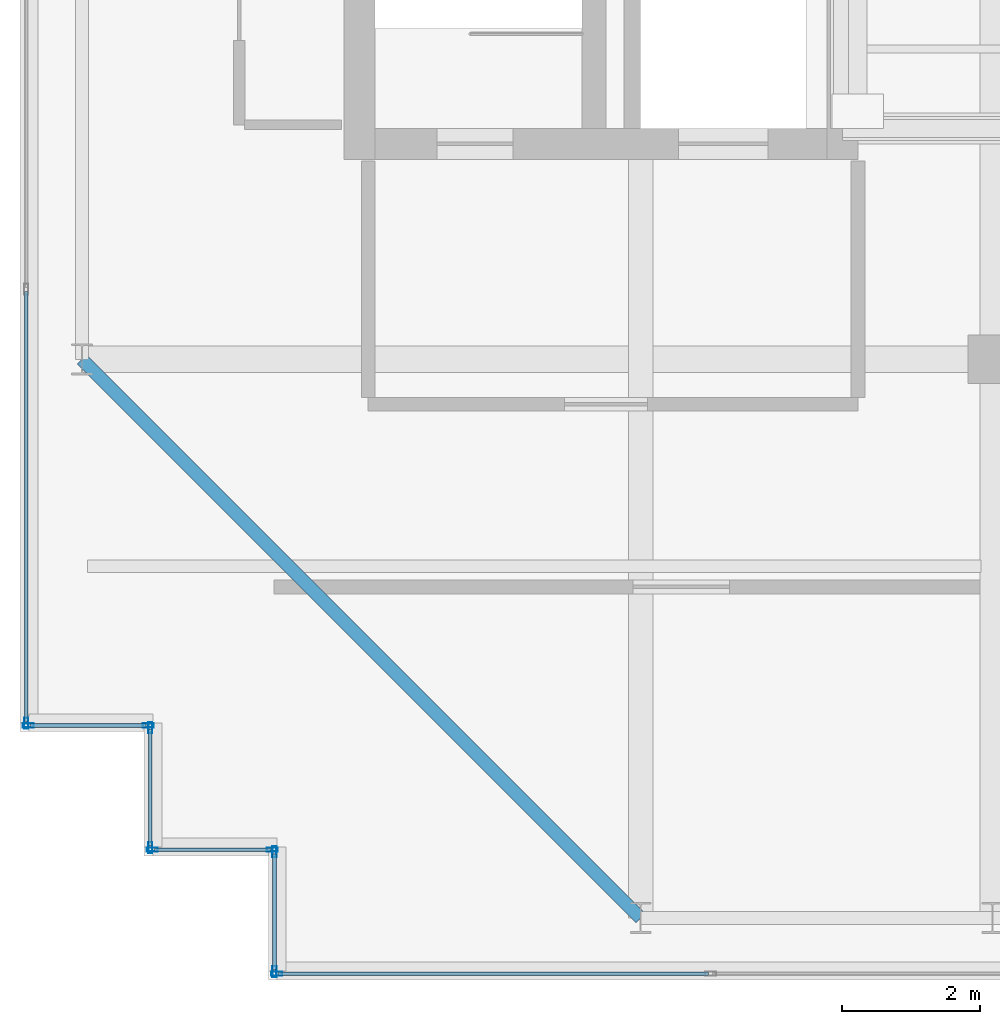
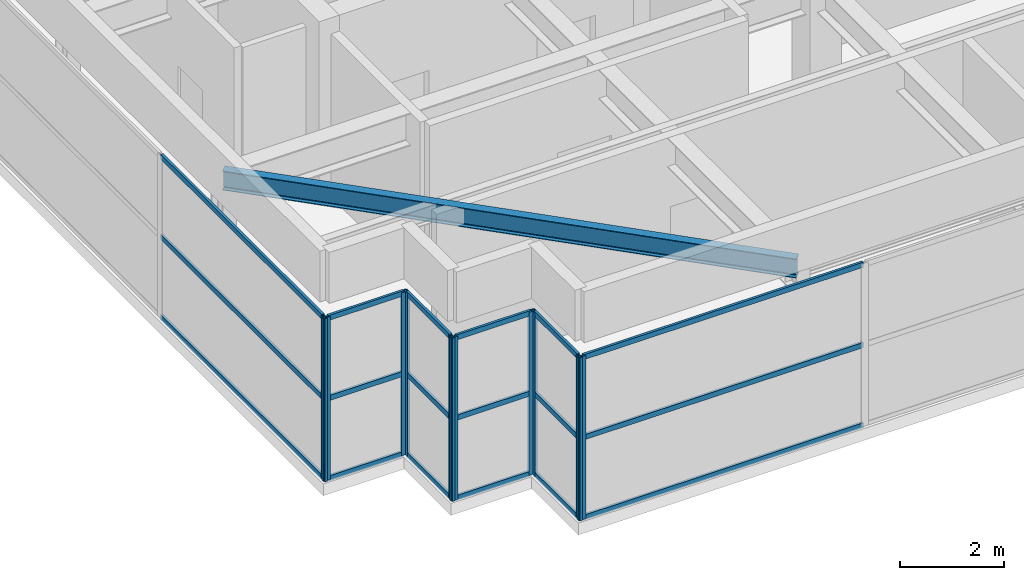
# One storey, part 2 of 33: 28 members, 1 beam, 6 elements without a shape of their own.
"""IFC4 building model written with IfcOpenShell, lengths in metres."""

from ifc_helpers import new_model, si_unit, direction, frame, origin, origin_2d, place, context, subcontext, project, spatial, hollow_rectangle, i_section, extrude, source, transform, mapped, material, layer, layer_set, material_profile, profile_set, type_object, element, aggregate, save


model = new_model("IFC4")

# Units and contexts
model_context = context("Model", 3, precision=1e-05, world=origin(), true_north=direction((0.0, 1.0)))
body_context = subcontext(model_context, "Body", "Model", "MODEL_VIEW")
ifc_project = project(units=[si_unit("LENGTHUNIT", "METRE"), si_unit("AREAUNIT", "SQUARE_METRE"), si_unit("VOLUMEUNIT", "CUBIC_METRE"), si_unit("PLANEANGLEUNIT", "RADIAN"), si_unit("MASSUNIT", "GRAM", prefix="KILO")], contexts=[model_context])

# Site, building, storey
site_placement = place(None, origin())
site = spatial("IfcSite", under=ifc_project, at=site_placement, CompositionType="ELEMENT")
building_placement = place(site_placement, origin())
building = spatial("IfcBuilding", under=site, at=building_placement, Name="Khoralis Quay Care Tower", CompositionType="ELEMENT")
storey_placement = place(building_placement, frame((0.0, 0.0, 314.699951171875)))
storey = spatial("IfcBuildingStorey", under=building, at=storey_placement, Name="L82", CompositionType="ELEMENT", Elevation=314.699951171875)

# Beam
ifc_material_1 = material(Name="Steel S355", Category="steel")
ifc_material_profile_1 = material_profile(ifc_material_1, i_section(OverallWidth=0.18994140625, OverallDepth=0.449951171875, WebThickness=0.009521484375, FlangeThickness=0.0146484375, FilletRadius=0.02099609375, at=origin_2d()), Name="Steel S355")
ifc_profile_set_1 = profile_set([ifc_material_profile_1], Name="Steel S355")
beam_type = type_object("IfcBeamType", Name="BM-IPE450", PredefinedType="SPANDREL", material=ifc_profile_set_1)
shared_shape_1 = source(origin(), body_context, "Body", "SweptSolid", [
    extrude(i_section(OverallWidth=0.18994140625, OverallDepth=0.449951171875, WebThickness=0.009521484375, FlangeThickness=0.0146484375, FilletRadius=0.02099609375, at=origin_2d()), origin(), (0.0, 0.0, 1.0), 11.455322265625),
])
beam_placement = place(storey_placement, frame((12.0, 3.89990234375, 3.614990234375), z_axis=(-0.707106781187, 0.707106781187, 0.0), x_axis=(-0.707106781187, -0.707106781187, 0.0)))
element("IfcBeam", 1, at=beam_placement, inside=storey, type_object=beam_type, Name="BM-TCR-L82-17", PredefinedType="SPANDREL", context=body_context, shape_type="MappedRepresentation", body=[
    mapped(shared_shape_1, transform((0.0, 0.0, 0.0), scale=1.0)),
])

# Curtain wall, members
ifc_material_2 = material(Name="Pale anodised aluminium", Category="aluminium")
ifc_layer = layer(ifc_material_2, 0.199951171875)
ifc_layer_set = layer_set([ifc_layer], Name="Pale anodised aluminium")
curtain_wall_type = type_object("IfcCurtainWallType", Name="CW-SYS-LANTERN", PredefinedType="NOTDEFINED", material=ifc_layer_set)
curtain_wall_1_placement = place(storey_placement, origin())
curtain_wall_1 = element("IfcCurtainWall", 2, at=curtain_wall_1_placement, inside=storey, type_object=curtain_wall_type, Name="L82 Unitised Curtain Wall CW-LN-L82-01", PredefinedType="NOTDEFINED")
ifc_material_profile_2 = material_profile(ifc_material_2, hollow_rectangle(XDim=0.054931640625, YDim=0.1201171875, WallThickness=0.00390625, at=origin_2d()), Name="Pale anodised aluminium")
ifc_profile_set_2 = profile_set([ifc_material_profile_2], Name="Pale anodised aluminium")
member_type_1 = type_object("IfcMemberType", Name="CW-TRN-120", PredefinedType="USERDEFINED", material=ifc_profile_set_2)
shared_shape_2 = source(origin(), body_context, "Body", "SweptSolid", [
    extrude(hollow_rectangle(XDim=0.054931640625, YDim=0.1201171875, WallThickness=0.00390625, at=origin_2d()), origin(), (0.0, 0.0, 1.0), 6.23388671875),
])
member_1_placement = place(storey_placement, frame((6.75, 3.090087890625, 0.030029296875), z_axis=(1.0, 0.0, 0.0), x_axis=(0.0, 1.0, 0.0)))
member_1 = element("IfcMember", 3, at=member_1_placement, type_object=member_type_1, Name="CW5 transom 1.1", ObjectType="TRANSOM", PredefinedType="USERDEFINED", context=body_context, shape_type="MappedRepresentation", body=[
    mapped(shared_shape_2, transform((0.0, 0.0, 0.0), scale=1.0)),
])
member_2_placement = place(storey_placement, frame((6.75, 3.090087890625, 1.920166015625), z_axis=(1.0, 0.0, 0.0), x_axis=(0.0, 1.0, 0.0)))
member_2 = element("IfcMember", 4, at=member_2_placement, type_object=member_type_1, Name="CW5 transom 1.2", ObjectType="TRANSOM", PredefinedType="USERDEFINED", context=body_context, shape_type="MappedRepresentation", body=[
    mapped(shared_shape_2, transform((0.0, 0.0, 0.0), scale=1.0)),
])
member_3_placement = place(storey_placement, frame((6.75, 3.090087890625, 3.81005859375), z_axis=(1.0, 0.0, 0.0), x_axis=(0.0, 1.0, 0.0)))
member_3 = element("IfcMember", 5, at=member_3_placement, type_object=member_type_1, Name="CW5 transom 1.3", ObjectType="TRANSOM", PredefinedType="USERDEFINED", context=body_context, shape_type="MappedRepresentation", body=[
    mapped(shared_shape_2, transform((0.0, 0.0, 0.0), scale=1.0)),
])

curtain_wall_2_placement = place(storey_placement, origin())
curtain_wall_2 = element("IfcCurtainWall", 6, at=curtain_wall_2_placement, inside=storey, type_object=curtain_wall_type, Name="L82 Unitised Curtain Wall CW-LN-L82-16", PredefinedType="NOTDEFINED")
member_4_placement = place(storey_placement, frame((3.090087890625, 12.98388671875, 0.030029296875), z_axis=(0.0, -1.0, 0.0), x_axis=(1.0, 0.0, 0.0)))
member_4 = element("IfcMember", 7, at=member_4_placement, type_object=member_type_1, Name="CW5 transom 5.1", ObjectType="TRANSOM", PredefinedType="USERDEFINED", context=body_context, shape_type="MappedRepresentation", body=[
    mapped(shared_shape_2, transform((0.0, 0.0, 0.0), scale=1.0)),
])
member_5_placement = place(storey_placement, frame((3.090087890625, 12.98388671875, 1.920166015625), z_axis=(0.0, -1.0, 0.0), x_axis=(1.0, 0.0, 0.0)))
member_5 = element("IfcMember", 8, at=member_5_placement, type_object=member_type_1, Name="CW5 transom 5.2", ObjectType="TRANSOM", PredefinedType="USERDEFINED", context=body_context, shape_type="MappedRepresentation", body=[
    mapped(shared_shape_2, transform((0.0, 0.0, 0.0), scale=1.0)),
])
member_6_placement = place(storey_placement, frame((3.090087890625, 12.98388671875, 3.81005859375), z_axis=(0.0, -1.0, 0.0), x_axis=(1.0, 0.0, 0.0)))
member_6 = element("IfcMember", 9, at=member_6_placement, type_object=member_type_1, Name="CW5 transom 5.3", ObjectType="TRANSOM", PredefinedType="USERDEFINED", context=body_context, shape_type="MappedRepresentation", body=[
    mapped(shared_shape_2, transform((0.0, 0.0, 0.0), scale=1.0)),
])

curtain_wall_3_placement = place(storey_placement, origin())
curtain_wall_3 = element("IfcCurtainWall", 10, at=curtain_wall_3_placement, inside=storey, type_object=curtain_wall_type, Name="L82 Unitised Curtain Wall CW-LN-L82-17", PredefinedType="NOTDEFINED")
shared_shape_3 = source(origin(), body_context, "Body", "SweptSolid", [
    extrude(hollow_rectangle(XDim=0.054931640625, YDim=0.1201171875, WallThickness=0.00390625, at=origin_2d()), origin(), (0.0, 0.0, 1.0), 1.68017578125),
])
member_7_placement = place(storey_placement, frame((3.14990234375, 6.68994140625, 0.030029296875), z_axis=(1.0, 0.0, 0.0), x_axis=(0.0, 1.0, 0.0)))
member_7 = element("IfcMember", 11, at=member_7_placement, type_object=member_type_1, Name="CW5 transom 1.1", ObjectType="TRANSOM", PredefinedType="USERDEFINED", context=body_context, shape_type="MappedRepresentation", body=[
    mapped(shared_shape_3, transform((0.0, 0.0, 0.0), scale=1.0)),
])
member_8_placement = place(storey_placement, frame((3.14990234375, 6.68994140625, 1.920166015625), z_axis=(1.0, 0.0, 0.0), x_axis=(0.0, 1.0, 0.0)))
member_8 = element("IfcMember", 12, at=member_8_placement, type_object=member_type_1, Name="CW5 transom 1.2", ObjectType="TRANSOM", PredefinedType="USERDEFINED", context=body_context, shape_type="MappedRepresentation", body=[
    mapped(shared_shape_3, transform((0.0, 0.0, 0.0), scale=1.0)),
])
member_9_placement = place(storey_placement, frame((3.14990234375, 6.68994140625, 3.81005859375), z_axis=(1.0, 0.0, 0.0), x_axis=(0.0, 1.0, 0.0)))
member_9 = element("IfcMember", 13, at=member_9_placement, type_object=member_type_1, Name="CW5 transom 1.3", ObjectType="TRANSOM", PredefinedType="USERDEFINED", context=body_context, shape_type="MappedRepresentation", body=[
    mapped(shared_shape_3, transform((0.0, 0.0, 0.0), scale=1.0)),
])

curtain_wall_4_placement = place(storey_placement, origin())
curtain_wall_4 = element("IfcCurtainWall", 14, at=curtain_wall_4_placement, inside=storey, type_object=curtain_wall_type, Name="L82 Unitised Curtain Wall CW-LN-L82-20", PredefinedType="NOTDEFINED")
member_10_placement = place(storey_placement, frame((6.68994140625, 4.830078125, 0.030029296875), z_axis=(0.0, -1.0, 0.0), x_axis=(1.0, 0.0, 0.0)))
member_10 = element("IfcMember", 15, at=member_10_placement, type_object=member_type_1, Name="CW5 transom 1.1", ObjectType="TRANSOM", PredefinedType="USERDEFINED", context=body_context, shape_type="MappedRepresentation", body=[
    mapped(shared_shape_3, transform((0.0, 0.0, 0.0), scale=1.0)),
])
member_11_placement = place(storey_placement, frame((6.68994140625, 4.830078125, 1.920166015625), z_axis=(0.0, -1.0, 0.0), x_axis=(1.0, 0.0, 0.0)))
member_11 = element("IfcMember", 16, at=member_11_placement, type_object=member_type_1, Name="CW5 transom 1.2", ObjectType="TRANSOM", PredefinedType="USERDEFINED", context=body_context, shape_type="MappedRepresentation", body=[
    mapped(shared_shape_3, transform((0.0, 0.0, 0.0), scale=1.0)),
])
member_12_placement = place(storey_placement, frame((6.68994140625, 4.830078125, 3.81005859375), z_axis=(0.0, -1.0, 0.0), x_axis=(1.0, 0.0, 0.0)))
member_12 = element("IfcMember", 17, at=member_12_placement, type_object=member_type_1, Name="CW5 transom 1.3", ObjectType="TRANSOM", PredefinedType="USERDEFINED", context=body_context, shape_type="MappedRepresentation", body=[
    mapped(shared_shape_3, transform((0.0, 0.0, 0.0), scale=1.0)),
])

curtain_wall_5_placement = place(storey_placement, origin())
curtain_wall_5 = element("IfcCurtainWall", 18, at=curtain_wall_5_placement, inside=storey, type_object=curtain_wall_type, Name="L82 Unitised Curtain Wall CW-LN-L82-18", PredefinedType="NOTDEFINED")
shared_shape_4 = source(origin(), body_context, "Body", "SweptSolid", [
    extrude(hollow_rectangle(XDim=0.054931640625, YDim=0.1201171875, WallThickness=0.00390625, at=origin_2d()), origin(), (0.0, 0.0, 1.0), 1.679931640625),
])
member_13_placement = place(storey_placement, frame((4.889892578125, 6.6298828125, 0.030029296875), z_axis=(0.0, -1.0, 0.0), x_axis=(1.0, 0.0, 0.0)))
member_13 = element("IfcMember", 19, at=member_13_placement, type_object=member_type_1, Name="CW5 transom 1.1", ObjectType="TRANSOM", PredefinedType="USERDEFINED", context=body_context, shape_type="MappedRepresentation", body=[
    mapped(shared_shape_4, transform((0.0, 0.0, 0.0), scale=1.0)),
])
member_14_placement = place(storey_placement, frame((4.889892578125, 6.6298828125, 1.920166015625), z_axis=(0.0, -1.0, 0.0), x_axis=(1.0, 0.0, 0.0)))
member_14 = element("IfcMember", 20, at=member_14_placement, type_object=member_type_1, Name="CW5 transom 1.2", ObjectType="TRANSOM", PredefinedType="USERDEFINED", context=body_context, shape_type="MappedRepresentation", body=[
    mapped(shared_shape_4, transform((0.0, 0.0, 0.0), scale=1.0)),
])
member_15_placement = place(storey_placement, frame((4.889892578125, 6.6298828125, 3.81005859375), z_axis=(0.0, -1.0, 0.0), x_axis=(1.0, 0.0, 0.0)))
member_15 = element("IfcMember", 21, at=member_15_placement, type_object=member_type_1, Name="CW5 transom 1.3", ObjectType="TRANSOM", PredefinedType="USERDEFINED", context=body_context, shape_type="MappedRepresentation", body=[
    mapped(shared_shape_4, transform((0.0, 0.0, 0.0), scale=1.0)),
])

curtain_wall_6_placement = place(storey_placement, origin())
curtain_wall_6 = element("IfcCurtainWall", 22, at=curtain_wall_6_placement, inside=storey, type_object=curtain_wall_type, Name="L82 Unitised Curtain Wall CW-LN-L82-19", PredefinedType="NOTDEFINED")
member_16_placement = place(storey_placement, frame((4.949951171875, 4.889892578125, 0.030029296875), z_axis=(1.0, 0.0, 0.0), x_axis=(0.0, 1.0, 0.0)))
member_16 = element("IfcMember", 23, at=member_16_placement, type_object=member_type_1, Name="CW5 transom 1.1", ObjectType="TRANSOM", PredefinedType="USERDEFINED", context=body_context, shape_type="MappedRepresentation", body=[
    mapped(shared_shape_4, transform((0.0, 0.0, 0.0), scale=1.0)),
])
member_17_placement = place(storey_placement, frame((4.949951171875, 4.889892578125, 1.920166015625), z_axis=(1.0, 0.0, 0.0), x_axis=(0.0, 1.0, 0.0)))
member_17 = element("IfcMember", 24, at=member_17_placement, type_object=member_type_1, Name="CW5 transom 1.2", ObjectType="TRANSOM", PredefinedType="USERDEFINED", context=body_context, shape_type="MappedRepresentation", body=[
    mapped(shared_shape_4, transform((0.0, 0.0, 0.0), scale=1.0)),
])
member_18_placement = place(storey_placement, frame((4.949951171875, 4.889892578125, 3.81005859375), z_axis=(1.0, 0.0, 0.0), x_axis=(0.0, 1.0, 0.0)))
member_18 = element("IfcMember", 25, at=member_18_placement, type_object=member_type_1, Name="CW5 transom 1.3", ObjectType="TRANSOM", PredefinedType="USERDEFINED", context=body_context, shape_type="MappedRepresentation", body=[
    mapped(shared_shape_4, transform((0.0, 0.0, 0.0), scale=1.0)),
])

# Member
ifc_material_profile_3 = material_profile(ifc_material_2, hollow_rectangle(XDim=0.06005859375, YDim=0.159912109375, WallThickness=0.00390625, at=origin_2d()), Name="Pale anodised aluminium")
ifc_profile_set_3 = profile_set([ifc_material_profile_3], Name="Pale anodised aluminium")
member_type_2 = type_object("IfcMemberType", Name="CW-MUL-160", PredefinedType="MULLION", material=ifc_profile_set_3)
shared_shape_5 = source(origin(), body_context, "Body", "SweptSolid", [
    extrude(hollow_rectangle(XDim=0.06005859375, YDim=0.159912109375, WallThickness=0.00390625, at=origin_2d()), origin(), (0.0, 0.0, 1.0), 3.840087890625),
])
member_19_placement = place(storey_placement, frame((6.719970703125, 3.090087890625, 0.0), z_axis=(0.0, 0.0, 1.0), x_axis=(0.0, 1.0, 0.0)))
member_19 = element("IfcMember", 26, at=member_19_placement, type_object=member_type_2, Name="CW5 mullion 1", PredefinedType="MULLION", context=body_context, shape_type="MappedRepresentation", body=[
    mapped(shared_shape_5, transform((0.0, 0.0, 0.0), scale=1.0)),
])

aggregate(curtain_wall_1, [member_19, member_1, member_2, member_3])

member_20_placement = place(storey_placement, frame((3.090087890625, 6.719970703125, 0.0), z_axis=(0.0, 0.0, 1.0), x_axis=(1.0, 0.0, 0.0)))
member_20 = element("IfcMember", 27, at=member_20_placement, type_object=member_type_2, Name="CW5 mullion 6", PredefinedType="MULLION", context=body_context, shape_type="MappedRepresentation", body=[
    mapped(shared_shape_5, transform((0.0, 0.0, 0.0), scale=1.0)),
])

aggregate(curtain_wall_2, [member_20, member_4, member_5, member_6])

member_21_placement = place(storey_placement, frame((3.1201171875, 6.68994140625, 0.0), z_axis=(0.0, 0.0, 1.0), x_axis=(0.0, 1.0, 0.0)))
member_21 = element("IfcMember", 28, at=member_21_placement, type_object=member_type_2, Name="CW5 mullion 1", PredefinedType="MULLION", context=body_context, shape_type="MappedRepresentation", body=[
    mapped(shared_shape_5, transform((0.0, 0.0, 0.0), scale=1.0)),
])

member_22_placement = place(storey_placement, frame((4.860107421875, 6.68994140625, 0.0), z_axis=(0.0, 0.0, 1.0), x_axis=(0.0, 1.0, 0.0)))
member_22 = element("IfcMember", 29, at=member_22_placement, type_object=member_type_2, Name="CW5 mullion 2", PredefinedType="MULLION", context=body_context, shape_type="MappedRepresentation", body=[
    mapped(shared_shape_5, transform((0.0, 0.0, 0.0), scale=1.0)),
])

aggregate(curtain_wall_3, [member_21, member_22, member_7, member_8, member_9])

member_23_placement = place(storey_placement, frame((4.889892578125, 6.659912109375, 0.0), z_axis=(0.0, 0.0, 1.0), x_axis=(1.0, 0.0, 0.0)))
member_23 = element("IfcMember", 30, at=member_23_placement, type_object=member_type_2, Name="CW5 mullion 1", PredefinedType="MULLION", context=body_context, shape_type="MappedRepresentation", body=[
    mapped(shared_shape_5, transform((0.0, 0.0, 0.0), scale=1.0)),
])

member_24_placement = place(storey_placement, frame((4.889892578125, 4.919921875, 0.0), z_axis=(0.0, 0.0, 1.0), x_axis=(1.0, 0.0, 0.0)))
member_24 = element("IfcMember", 31, at=member_24_placement, type_object=member_type_2, Name="CW5 mullion 2", PredefinedType="MULLION", context=body_context, shape_type="MappedRepresentation", body=[
    mapped(shared_shape_5, transform((0.0, 0.0, 0.0), scale=1.0)),
])

aggregate(curtain_wall_5, [member_23, member_24, member_13, member_14, member_15])

member_25_placement = place(storey_placement, frame((4.919921875, 4.889892578125, 0.0), z_axis=(0.0, 0.0, 1.0), x_axis=(0.0, 1.0, 0.0)))
member_25 = element("IfcMember", 32, at=member_25_placement, type_object=member_type_2, Name="CW5 mullion 1", PredefinedType="MULLION", context=body_context, shape_type="MappedRepresentation", body=[
    mapped(shared_shape_5, transform((0.0, 0.0, 0.0), scale=1.0)),
])

member_26_placement = place(storey_placement, frame((6.659912109375, 4.889892578125, 0.0), z_axis=(0.0, 0.0, 1.0), x_axis=(0.0, 1.0, 0.0)))
member_26 = element("IfcMember", 33, at=member_26_placement, type_object=member_type_2, Name="CW5 mullion 2", PredefinedType="MULLION", context=body_context, shape_type="MappedRepresentation", body=[
    mapped(shared_shape_5, transform((0.0, 0.0, 0.0), scale=1.0)),
])

aggregate(curtain_wall_6, [member_25, member_26, member_16, member_17, member_18])

member_27_placement = place(storey_placement, frame((6.68994140625, 4.860107421875, 0.0), z_axis=(0.0, 0.0, 1.0), x_axis=(1.0, 0.0, 0.0)))
member_27 = element("IfcMember", 34, at=member_27_placement, type_object=member_type_2, Name="CW5 mullion 1", PredefinedType="MULLION", context=body_context, shape_type="MappedRepresentation", body=[
    mapped(shared_shape_5, transform((0.0, 0.0, 0.0), scale=1.0)),
])

member_28_placement = place(storey_placement, frame((6.68994140625, 3.1201171875, 0.0), z_axis=(0.0, 0.0, 1.0), x_axis=(1.0, 0.0, 0.0)))
member_28 = element("IfcMember", 35, at=member_28_placement, type_object=member_type_2, Name="CW5 mullion 2", PredefinedType="MULLION", context=body_context, shape_type="MappedRepresentation", body=[
    mapped(shared_shape_5, transform((0.0, 0.0, 0.0), scale=1.0)),
])

aggregate(curtain_wall_4, [member_27, member_28, member_10, member_11, member_12])

save(model, "model.ifc")
